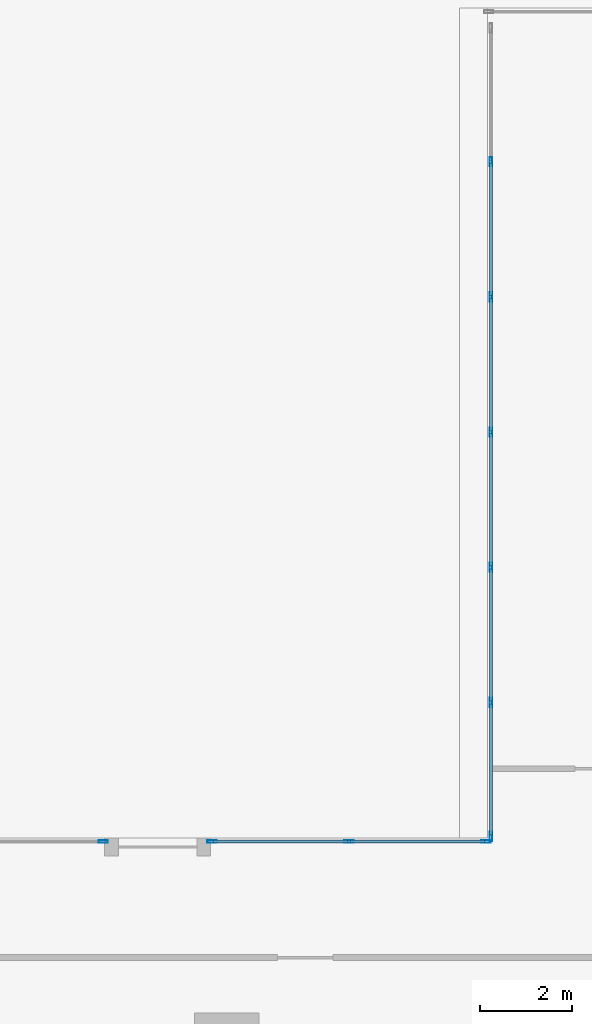
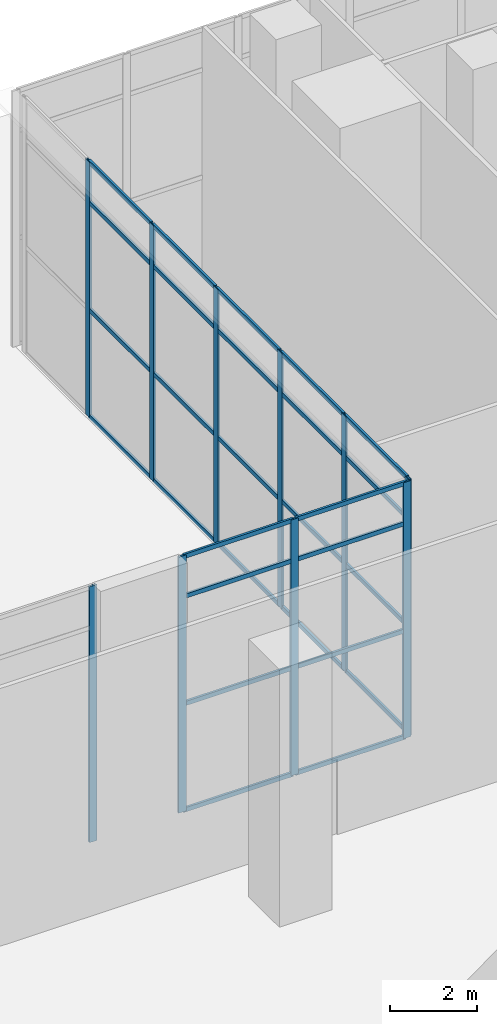
# One storey, part 26 of 52: 38 members, 3 elements without a shape of their own.
"""IFC4 building model written with IfcOpenShell, lengths in metres."""

import ifcopenshell
import ifcopenshell.guid

model = None  # the IFC model being written
_history = None  # IfcOwnerHistory: only IFC2X3 demands one
_inside = {}  # id of a spatial element -> (the spatial element, [elements in it])
_under = {}  # id of a project, library or spatial element -> (it, [spatial elements below it])
_declared = {}  # id of a project -> (the project, [libraries it declares])
_typed = {}  # id of a type object -> (the type object, [elements of that type])
_made_of = {}  # id of a material, layer set ... -> (it, [elements and type objects made of it])


def new_model(schema):
    """Start an empty IFC model of exactly this schema.

    Asked for "IFC4X3", IfcOpenShell would pick the latest addendum, in which some entities
    have other attributes; the version numbers below select the first issue.
    IFC2X3 requires an IfcOwnerHistory on every rooted entity: one is made here for all.
    """
    global model, _history
    if schema == "IFC4X3":
        model = ifcopenshell.file(schema_version=(4, 3, 0, 0))
    else:
        model = ifcopenshell.file(schema=schema)
    _inside.clear()
    _under.clear()
    _declared.clear()
    _typed.clear()
    _made_of.clear()
    _history = None
    if model.schema == "IFC2X3":
        org = make("IfcOrganization", Name="unknown")
        user = make(
            "IfcPersonAndOrganization",
            ThePerson=make("IfcPerson", FamilyName="unknown"),
            TheOrganization=org,
        )
        app = make(
            "IfcApplication",
            ApplicationDeveloper=org,
            Version="unknown",
            ApplicationFullName="unknown",
            ApplicationIdentifier="unknown",
        )
        _history = make(
            "IfcOwnerHistory",
            OwningUser=user,
            OwningApplication=app,
            ChangeAction="ADDED",
            CreationDate=0,
        )
    return model


def make(cls, **values):
    """One entity of the class cls with the attributes given. An attribute that is None is left unset."""
    return model.create_entity(
        cls, **{name: value for name, value in values.items() if value is not None}
    )


def rooted(cls, **values):
    """An entity with a GlobalId (a new one), such as an element, a storey or a relation."""
    return make(cls, GlobalId=ifcopenshell.guid.new(), OwnerHistory=_history, **values)


def si_unit(unit_type, name, prefix=None):
    """IfcSIUnit, for example si_unit("LENGTHUNIT", "METRE", prefix="MILLI")."""
    return make("IfcSIUnit", UnitType=unit_type, Prefix=prefix, Name=name)


def assignment(units):
    """IfcUnitAssignment: the units of a project."""
    return None if units is None else make("IfcUnitAssignment", Units=units)


def point(xyz):
    """IfcCartesianPoint."""
    return None if xyz is None else make("IfcCartesianPoint", Coordinates=xyz)


def direction(xyz):
    """IfcDirection."""
    return None if xyz is None else make("IfcDirection", DirectionRatios=xyz)


def frame(location, z_axis=None, x_axis=None):
    """IfcAxis2Placement3D, a coordinate frame: its origin and axes. An axis left out is left unset."""
    return make(
        "IfcAxis2Placement3D",
        Location=point(location),
        Axis=direction(z_axis),
        RefDirection=direction(x_axis),
    )


def frame_2d(location, x_axis=None):
    """IfcAxis2Placement2D, a coordinate frame in the plane: its origin and x axis."""
    return make(
        "IfcAxis2Placement2D", Location=point(location), RefDirection=direction(x_axis)
    )


def origin():
    """The frame at (0, 0, 0) with its axes left unset."""
    return frame((0.0, 0.0, 0.0))


def origin_2d():
    """The frame at (0, 0) in the plane with its x axis left unset."""
    return frame_2d((0.0, 0.0))


def place(relative_to, where):
    """IfcLocalPlacement: puts the frame where relative to a parent placement (None: the world)."""
    return make(
        "IfcLocalPlacement", PlacementRelTo=relative_to, RelativePlacement=where
    )


def context(
    kind, dimensions, precision=None, world=None, true_north=None, identifier=None
):
    """IfcGeometricRepresentationContext, for example the 3D "Model" context."""
    return make(
        "IfcGeometricRepresentationContext",
        ContextIdentifier=identifier,
        ContextType=kind,
        CoordinateSpaceDimension=dimensions,
        Precision=precision,
        WorldCoordinateSystem=world,
        TrueNorth=true_north,
    )


def subcontext(parent, identifier, kind, view, scale=None):
    """IfcGeometricRepresentationSubContext, for example "Body" below "Model"."""
    return make(
        "IfcGeometricRepresentationSubContext",
        ContextIdentifier=identifier,
        ContextType=kind,
        ParentContext=parent,
        TargetScale=scale,
        TargetView=view,
    )


def project(units=None, contexts=None):
    """IfcProject with its units and contexts."""
    return rooted(
        "IfcProject",
        Name="project",
        RepresentationContexts=contexts,
        UnitsInContext=assignment(units),
    )


def spatial(cls, under=None, at=None, **own):
    """A site, building, storey or space (cls), placed at a placement, below another one or the project."""
    s = rooted(cls, ObjectPlacement=at, **own)
    if under is not None:
        _under.setdefault(under.id(), (under, []))[1].append(s)
    return s


def profile(cls, at=None, kind="AREA", **sizes):
    """A parametric profile (cls). Its sizes go by their IFC names, for example OverallWidth=200.0."""
    return make(cls, ProfileType=kind, Position=at, **sizes)


def hollow_rectangle(**sizes):
    """IfcRectangleHollowProfileDef."""
    return profile("IfcRectangleHollowProfileDef", **sizes)


def extrude(swept, where, along, depth):
    """IfcExtrudedAreaSolid: the profile swept, set in the frame where, extruded along a direction by depth."""
    return make(
        "IfcExtrudedAreaSolid",
        SweptArea=swept,
        Position=where,
        ExtrudedDirection=direction(along),
        Depth=depth,
    )


def shape(context_of_items, identifier, shape_type, items):
    """IfcShapeRepresentation: the items that make up one representation, for example the "Body"."""
    return make(
        "IfcShapeRepresentation",
        ContextOfItems=context_of_items,
        RepresentationIdentifier=identifier,
        RepresentationType=shape_type,
        Items=items,
    )


def source(mapping_origin, context_of_items, identifier, shape_type, items):
    """IfcRepresentationMap: a shape defined once, which mapped items show again and again."""
    return make(
        "IfcRepresentationMap",
        MappingOrigin=mapping_origin,
        MappedRepresentation=shape(context_of_items, identifier, shape_type, items),
    )


def transform(
    local_origin,
    x_axis=None,
    y_axis=None,
    z_axis=None,
    scale=None,
    scale2=None,
    scale3=None,
    uniform=True,
):
    """IfcCartesianTransformationOperator3D, or its non-uniform kind. x_axis, y_axis, z_axis: its Axis1, 2, 3."""
    if uniform:
        return make(
            "IfcCartesianTransformationOperator3D",
            Axis1=direction(x_axis),
            Axis2=direction(y_axis),
            LocalOrigin=point(local_origin),
            Scale=scale,
            Axis3=direction(z_axis),
        )
    return make(
        "IfcCartesianTransformationOperator3DnonUniform",
        Axis1=direction(x_axis),
        Axis2=direction(y_axis),
        LocalOrigin=point(local_origin),
        Scale=scale,
        Axis3=direction(z_axis),
        Scale2=scale2,
        Scale3=scale3,
    )


def mapped(mapping_source, mapping_target):
    """IfcMappedItem: shows the shape of a source again, moved by a transform."""
    return make(
        "IfcMappedItem", MappingSource=mapping_source, MappingTarget=mapping_target
    )


def material(Name=None, Category=None):
    """IfcMaterial."""
    return make("IfcMaterial", Name=Name, Category=Category)


def material_profile(
    of_material, cross_section, Name=None, Category=None, Priority=None
):
    """IfcMaterialProfile: a cross section and its material."""
    return make(
        "IfcMaterialProfile",
        Name=Name,
        Material=of_material,
        Profile=cross_section,
        Priority=Priority,
        Category=Category,
    )


def profile_set(profiles, Name=None, composite=None):
    """IfcMaterialProfileSet."""
    return make(
        "IfcMaterialProfileSet",
        Name=Name,
        MaterialProfiles=profiles,
        CompositeProfile=composite,
    )


def made_of(thing, what):
    """Note that an element or type object is made of a material, layer set ...; save() writes the relation."""
    if what is not None:
        _made_of.setdefault(what.id(), (what, []))[1].append(thing)
    return thing


def type_object(cls, material=None, **own):
    """A type object (cls), such as IfcWallType, which elements share."""
    return made_of(rooted(cls, **own), material)


def element(
    cls,
    number,
    at=None,
    inside=None,
    cuts=None,
    type_object=None,
    material=None,
    context=None,
    identifier="Body",
    shape_type=None,
    held_by="IfcProductDefinitionShape",
    body=None,
    shapes=None,
    **own,
):
    """One element of the class cls, such as IfcWall. Its Tag is "e" and its number.

    at: its placement. inside: the storey or other place that contains it. cuts: it is an
    opening in that element (IfcRelVoidsElement). A single representation is given by context,
    identifier, shape_type and body (its items); several are given by shapes. held_by: the class
    of the entity that holds the representations. save() writes the other relations.
    """
    e = rooted(cls, Tag="e%d" % number, ObjectPlacement=at, **own)
    if body is not None:
        shapes = [shape(context, identifier, shape_type, body)]
    if shapes is not None:
        e.Representation = make(held_by, Representations=shapes)
    if inside is not None:
        _inside.setdefault(inside.id(), (inside, []))[1].append(e)
    if cuts is not None:
        rooted(
            "IfcRelVoidsElement", RelatingBuildingElement=cuts, RelatedOpeningElement=e
        )
    if type_object is not None:
        _typed.setdefault(type_object.id(), (type_object, []))[1].append(e)
    return made_of(e, material)


def aggregate(whole, parts):
    """IfcRelAggregates: a whole, such as a stair, and the parts it consists of."""
    return rooted("IfcRelAggregates", RelatingObject=whole, RelatedObjects=parts)


def save(model, path):
    """Write the relations noted so far, then the file.

    IfcRelAggregates (storeys below a building ...), IfcRelContainedInSpatialStructure (elements
    in a storey), IfcRelDefinesByType, IfcRelAssociatesMaterial and IfcRelDeclares: one each for
    every whole, place, type object, material and project.
    """
    for whole, parts in _under.values():
        aggregate(whole, parts)
    for where, things in _inside.values():
        rooted(
            "IfcRelContainedInSpatialStructure",
            RelatedElements=things,
            RelatingStructure=where,
        )
    for kind, things in _typed.values():
        rooted("IfcRelDefinesByType", RelatedObjects=things, RelatingType=kind)
    for what, things in _made_of.values():
        rooted("IfcRelAssociatesMaterial", RelatedObjects=things, RelatingMaterial=what)
    for by, libraries in _declared.values():
        rooted("IfcRelDeclares", RelatingContext=by, RelatedDefinitions=libraries)
    model.write(path)


model = new_model("IFC4")

# Units and contexts
model_context = context("Model", 3, precision=1e-05, world=origin(), true_north=direction((0.0, 1.0)))
body_context = subcontext(model_context, "Body", "Model", "MODEL_VIEW")
ifc_project = project(units=[si_unit("LENGTHUNIT", "METRE"), si_unit("AREAUNIT", "SQUARE_METRE"), si_unit("VOLUMEUNIT", "CUBIC_METRE"), si_unit("PLANEANGLEUNIT", "RADIAN"), si_unit("MASSUNIT", "GRAM", prefix="KILO")], contexts=[model_context])

# Site, building, storey
site_placement = place(None, origin())
site = spatial("IfcSite", under=ifc_project, at=site_placement, CompositionType="ELEMENT")
building_placement = place(site_placement, origin())
building = spatial("IfcBuilding", under=site, at=building_placement, Name="Khomas Fold Tower", CompositionType="ELEMENT")
storey_placement = place(building_placement, origin())
storey = spatial("IfcBuildingStorey", under=building, at=storey_placement, Name="L00", CompositionType="ELEMENT", Elevation=0.0)

# Curtain wall, members
ifc_material_1 = material(Name="Aluminium framed double glazing", Category="aluminium")
curtain_wall_type = type_object("IfcCurtainWallType", Name="Shopfront glazing PD-CW", PredefinedType="NOTDEFINED", material=ifc_material_1)
curtain_wall_1_placement = place(storey_placement, origin())
curtain_wall_1 = element("IfcCurtainWall", 1, at=curtain_wall_1_placement, inside=storey, type_object=curtain_wall_type, Name="Podium shopfront run", PredefinedType="NOTDEFINED")
ifc_material_2 = material(Name="Aluminium", Category="aluminium")
ifc_material_profile_1 = material_profile(ifc_material_2, hollow_rectangle(XDim=0.06005859375, YDim=0.199951171875, WallThickness=0.00390625, at=origin_2d()), Name="Shopfront glazing mullion PD-CW-M")
ifc_profile_set_1 = profile_set([ifc_material_profile_1], Name="Aluminium")
member_type_1 = type_object("IfcMemberType", Name="Shopfront glazing mullion PD-CW-M", PredefinedType="MULLION", material=ifc_profile_set_1)
shared_shape_1 = source(origin(), body_context, "Body", "SweptSolid", [
    extrude(hollow_rectangle(XDim=0.06005859375, YDim=0.199951171875, WallThickness=0.00390625, at=origin_2d()), origin(), (0.0, 0.0, 1.0), 7.14990234375),
])
member_1_placement = place(storey_placement, frame((43.22998046875, 50.666748046875, 0.0), z_axis=(0.0, 0.0, 1.0), x_axis=(1.0, 0.0, 0.0)))
member_1 = element("IfcMember", 2, at=member_1_placement, type_object=member_type_1, Name="PD-CW mullion 2", PredefinedType="MULLION", context=body_context, shape_type="MappedRepresentation", body=[
    mapped(shared_shape_1, transform((0.0, 0.0, 0.0))),
])
member_2_placement = place(storey_placement, frame((43.22998046875, 47.7333984375, 0.0), z_axis=(0.0, 0.0, 1.0), x_axis=(1.0, 0.0, 0.0)))
member_2 = element("IfcMember", 3, at=member_2_placement, type_object=member_type_1, Name="PD-CW mullion 3", PredefinedType="MULLION", context=body_context, shape_type="MappedRepresentation", body=[
    mapped(shared_shape_1, transform((0.0, 0.0, 0.0))),
])
member_3_placement = place(storey_placement, frame((43.22998046875, 44.800048828125, 0.0), z_axis=(0.0, 0.0, 1.0), x_axis=(1.0, 0.0, 0.0)))
member_3 = element("IfcMember", 4, at=member_3_placement, type_object=member_type_1, Name="PD-CW mullion 4", PredefinedType="MULLION", context=body_context, shape_type="MappedRepresentation", body=[
    mapped(shared_shape_1, transform((0.0, 0.0, 0.0))),
])
member_4_placement = place(storey_placement, frame((43.22998046875, 41.86669921875, 0.0), z_axis=(0.0, 0.0, 1.0), x_axis=(1.0, 0.0, 0.0)))
member_4 = element("IfcMember", 5, at=member_4_placement, type_object=member_type_1, Name="PD-CW mullion 5", PredefinedType="MULLION", context=body_context, shape_type="MappedRepresentation", body=[
    mapped(shared_shape_1, transform((0.0, 0.0, 0.0))),
])
member_5_placement = place(storey_placement, frame((43.22998046875, 38.933349609375, 0.0), z_axis=(0.0, 0.0, 1.0), x_axis=(1.0, 0.0, 0.0)))
member_5 = element("IfcMember", 6, at=member_5_placement, type_object=member_type_1, Name="PD-CW mullion 6", PredefinedType="MULLION", context=body_context, shape_type="MappedRepresentation", body=[
    mapped(shared_shape_1, transform((0.0, 0.0, 0.0))),
])
member_6_placement = place(storey_placement, frame((43.22998046875, 36.030029296875, 0.0), z_axis=(0.0, 0.0, 1.0), x_axis=(1.0, 0.0, 0.0)))
member_6 = element("IfcMember", 7, at=member_6_placement, type_object=member_type_1, Name="PD-CW mullion 7", PredefinedType="MULLION", context=body_context, shape_type="MappedRepresentation", body=[
    mapped(shared_shape_1, transform((0.0, 0.0, 0.0))),
])

curtain_wall_2_placement = place(storey_placement, origin())
curtain_wall_2 = element("IfcCurtainWall", 8, at=curtain_wall_2_placement, inside=storey, type_object=curtain_wall_type, Name="Podium shopfront run", PredefinedType="NOTDEFINED")
member_7_placement = place(storey_placement, frame((43.1201171875, 35.919921875, 0.0), z_axis=(0.0, 0.0, 1.0), x_axis=(0.0, -1.0, 0.0)))
member_7 = element("IfcMember", 9, at=member_7_placement, type_object=member_type_1, Name="PD-CW mullion 1", PredefinedType="MULLION", context=body_context, shape_type="MappedRepresentation", body=[
    mapped(shared_shape_1, transform((0.0, 0.0, 0.0))),
])
member_8_placement = place(storey_placement, frame((40.14990234375, 35.919921875, 0.0), z_axis=(0.0, 0.0, 1.0), x_axis=(0.0, -1.0, 0.0)))
member_8 = element("IfcMember", 10, at=member_8_placement, type_object=member_type_1, Name="PD-CW mullion 2", PredefinedType="MULLION", context=body_context, shape_type="MappedRepresentation", body=[
    mapped(shared_shape_1, transform((0.0, 0.0, 0.0))),
])
member_9_placement = place(storey_placement, frame((37.179931640625, 35.919921875, 0.0), z_axis=(0.0, 0.0, 1.0), x_axis=(0.0, -1.0, 0.0)))
member_9 = element("IfcMember", 11, at=member_9_placement, type_object=member_type_1, Name="PD-CW mullion 3", PredefinedType="MULLION", context=body_context, shape_type="MappedRepresentation", body=[
    mapped(shared_shape_1, transform((0.0, 0.0, 0.0))),
])

# Curtain wall, member
curtain_wall_3_placement = place(storey_placement, origin())
curtain_wall_3 = element("IfcCurtainWall", 12, at=curtain_wall_3_placement, inside=storey, type_object=curtain_wall_type, Name="Podium shopfront run", PredefinedType="NOTDEFINED")
member_10_placement = place(storey_placement, frame((34.820068359375, 35.919921875, 0.0), z_axis=(0.0, 0.0, 1.0), x_axis=(0.0, -1.0, 0.0)))
member_10 = element("IfcMember", 13, at=member_10_placement, type_object=member_type_1, Name="PD-CW mullion 1", PredefinedType="MULLION", context=body_context, shape_type="MappedRepresentation", body=[
    mapped(shared_shape_1, transform((0.0, 0.0, 0.0))),
])
aggregate(curtain_wall_3, [member_10])

# Member
ifc_material_3 = material(Name="Aluminium", Category="aluminium")
ifc_material_profile_2 = material_profile(ifc_material_3, hollow_rectangle(XDim=0.06005859375, YDim=0.1201171875, WallThickness=0.00390625, at=origin_2d()), Name="Shopfront glazing transom PD-CW-T")
ifc_profile_set_2 = profile_set([ifc_material_profile_2], Name="Aluminium")
member_type_2 = type_object("IfcMemberType", Name="Shopfront glazing transom PD-CW-T", PredefinedType="USERDEFINED", material=ifc_profile_set_2)
shared_shape_2 = source(origin(), body_context, "Body", "SweptSolid", [
    extrude(hollow_rectangle(XDim=0.06005859375, YDim=0.1201171875, WallThickness=0.00390625, at=origin_2d()), origin(), (0.0, 0.0, 1.0), 2.84326171875),
])
member_11_placement = place(storey_placement, frame((43.22998046875, 38.9033203125, 0.030029296875), z_axis=(0.0, -1.0, 0.0), x_axis=(1.0, 0.0, 0.0)))
member_11 = element("IfcMember", 14, at=member_11_placement, type_object=member_type_2, Name="PD-CW transom 6.1", ObjectType="TRANSOM", PredefinedType="USERDEFINED", context=body_context, shape_type="MappedRepresentation", body=[
    mapped(shared_shape_2, transform((0.0, 0.0, 0.0))),
])

member_12_placement = place(storey_placement, frame((43.22998046875, 38.9033203125, 3.0), z_axis=(0.0, -1.0, 0.0), x_axis=(1.0, 0.0, 0.0)))
member_12 = element("IfcMember", 15, at=member_12_placement, type_object=member_type_2, Name="PD-CW transom 6.2", ObjectType="TRANSOM", PredefinedType="USERDEFINED", context=body_context, shape_type="MappedRepresentation", body=[
    mapped(shared_shape_2, transform((0.0, 0.0, 0.0))),
])

member_13_placement = place(storey_placement, frame((43.22998046875, 38.9033203125, 6.0), z_axis=(0.0, -1.0, 0.0), x_axis=(1.0, 0.0, 0.0)))
member_13 = element("IfcMember", 16, at=member_13_placement, type_object=member_type_2, Name="PD-CW transom 6.3", ObjectType="TRANSOM", PredefinedType="USERDEFINED", context=body_context, shape_type="MappedRepresentation", body=[
    mapped(shared_shape_2, transform((0.0, 0.0, 0.0))),
])

member_14_placement = place(storey_placement, frame((43.22998046875, 38.9033203125, 7.1201171875), z_axis=(0.0, -1.0, 0.0), x_axis=(1.0, 0.0, 0.0)))
member_14 = element("IfcMember", 17, at=member_14_placement, type_object=member_type_2, Name="PD-CW transom 6.4", ObjectType="TRANSOM", PredefinedType="USERDEFINED", context=body_context, shape_type="MappedRepresentation", body=[
    mapped(shared_shape_2, transform((0.0, 0.0, 0.0))),
])

shared_shape_3 = source(origin(), body_context, "Body", "SweptSolid", [
    extrude(hollow_rectangle(XDim=0.06005859375, YDim=0.1201171875, WallThickness=0.00390625, at=origin_2d()), origin(), (0.0, 0.0, 1.0), 2.873291015625),
])
member_15_placement = place(storey_placement, frame((43.22998046875, 50.63671875, 0.030029296875), z_axis=(0.0, -1.0, 0.0), x_axis=(1.0, 0.0, 0.0)))
member_15 = element("IfcMember", 18, at=member_15_placement, type_object=member_type_2, Name="PD-CW transom 2.1", ObjectType="TRANSOM", PredefinedType="USERDEFINED", context=body_context, shape_type="MappedRepresentation", body=[
    mapped(shared_shape_3, transform((0.0, 0.0, 0.0))),
])

member_16_placement = place(storey_placement, frame((43.22998046875, 50.63671875, 3.0), z_axis=(0.0, -1.0, 0.0), x_axis=(1.0, 0.0, 0.0)))
member_16 = element("IfcMember", 19, at=member_16_placement, type_object=member_type_2, Name="PD-CW transom 2.2", ObjectType="TRANSOM", PredefinedType="USERDEFINED", context=body_context, shape_type="MappedRepresentation", body=[
    mapped(shared_shape_3, transform((0.0, 0.0, 0.0))),
])

member_17_placement = place(storey_placement, frame((43.22998046875, 50.63671875, 6.0), z_axis=(0.0, -1.0, 0.0), x_axis=(1.0, 0.0, 0.0)))
member_17 = element("IfcMember", 20, at=member_17_placement, type_object=member_type_2, Name="PD-CW transom 2.3", ObjectType="TRANSOM", PredefinedType="USERDEFINED", context=body_context, shape_type="MappedRepresentation", body=[
    mapped(shared_shape_3, transform((0.0, 0.0, 0.0))),
])

member_18_placement = place(storey_placement, frame((43.22998046875, 50.63671875, 7.1201171875), z_axis=(0.0, -1.0, 0.0), x_axis=(1.0, 0.0, 0.0)))
member_18 = element("IfcMember", 21, at=member_18_placement, type_object=member_type_2, Name="PD-CW transom 2.4", ObjectType="TRANSOM", PredefinedType="USERDEFINED", context=body_context, shape_type="MappedRepresentation", body=[
    mapped(shared_shape_3, transform((0.0, 0.0, 0.0))),
])

member_19_placement = place(storey_placement, frame((43.22998046875, 47.703369140625, 0.030029296875), z_axis=(0.0, -1.0, 0.0), x_axis=(1.0, 0.0, 0.0)))
member_19 = element("IfcMember", 22, at=member_19_placement, type_object=member_type_2, Name="PD-CW transom 3.1", ObjectType="TRANSOM", PredefinedType="USERDEFINED", context=body_context, shape_type="MappedRepresentation", body=[
    mapped(shared_shape_3, transform((0.0, 0.0, 0.0))),
])

member_20_placement = place(storey_placement, frame((43.22998046875, 47.703369140625, 3.0), z_axis=(0.0, -1.0, 0.0), x_axis=(1.0, 0.0, 0.0)))
member_20 = element("IfcMember", 23, at=member_20_placement, type_object=member_type_2, Name="PD-CW transom 3.2", ObjectType="TRANSOM", PredefinedType="USERDEFINED", context=body_context, shape_type="MappedRepresentation", body=[
    mapped(shared_shape_3, transform((0.0, 0.0, 0.0))),
])

member_21_placement = place(storey_placement, frame((43.22998046875, 47.703369140625, 6.0), z_axis=(0.0, -1.0, 0.0), x_axis=(1.0, 0.0, 0.0)))
member_21 = element("IfcMember", 24, at=member_21_placement, type_object=member_type_2, Name="PD-CW transom 3.3", ObjectType="TRANSOM", PredefinedType="USERDEFINED", context=body_context, shape_type="MappedRepresentation", body=[
    mapped(shared_shape_3, transform((0.0, 0.0, 0.0))),
])

member_22_placement = place(storey_placement, frame((43.22998046875, 47.703369140625, 7.1201171875), z_axis=(0.0, -1.0, 0.0), x_axis=(1.0, 0.0, 0.0)))
member_22 = element("IfcMember", 25, at=member_22_placement, type_object=member_type_2, Name="PD-CW transom 3.4", ObjectType="TRANSOM", PredefinedType="USERDEFINED", context=body_context, shape_type="MappedRepresentation", body=[
    mapped(shared_shape_3, transform((0.0, 0.0, 0.0))),
])

member_23_placement = place(storey_placement, frame((43.22998046875, 44.77001953125, 0.030029296875), z_axis=(0.0, -1.0, 0.0), x_axis=(1.0, 0.0, 0.0)))
member_23 = element("IfcMember", 26, at=member_23_placement, type_object=member_type_2, Name="PD-CW transom 4.1", ObjectType="TRANSOM", PredefinedType="USERDEFINED", context=body_context, shape_type="MappedRepresentation", body=[
    mapped(shared_shape_3, transform((0.0, 0.0, 0.0))),
])

member_24_placement = place(storey_placement, frame((43.22998046875, 44.77001953125, 3.0), z_axis=(0.0, -1.0, 0.0), x_axis=(1.0, 0.0, 0.0)))
member_24 = element("IfcMember", 27, at=member_24_placement, type_object=member_type_2, Name="PD-CW transom 4.2", ObjectType="TRANSOM", PredefinedType="USERDEFINED", context=body_context, shape_type="MappedRepresentation", body=[
    mapped(shared_shape_3, transform((0.0, 0.0, 0.0))),
])

member_25_placement = place(storey_placement, frame((43.22998046875, 44.77001953125, 6.0), z_axis=(0.0, -1.0, 0.0), x_axis=(1.0, 0.0, 0.0)))
member_25 = element("IfcMember", 28, at=member_25_placement, type_object=member_type_2, Name="PD-CW transom 4.3", ObjectType="TRANSOM", PredefinedType="USERDEFINED", context=body_context, shape_type="MappedRepresentation", body=[
    mapped(shared_shape_3, transform((0.0, 0.0, 0.0))),
])

member_26_placement = place(storey_placement, frame((43.22998046875, 44.77001953125, 7.1201171875), z_axis=(0.0, -1.0, 0.0), x_axis=(1.0, 0.0, 0.0)))
member_26 = element("IfcMember", 29, at=member_26_placement, type_object=member_type_2, Name="PD-CW transom 4.4", ObjectType="TRANSOM", PredefinedType="USERDEFINED", context=body_context, shape_type="MappedRepresentation", body=[
    mapped(shared_shape_3, transform((0.0, 0.0, 0.0))),
])

member_27_placement = place(storey_placement, frame((43.22998046875, 41.836669921875, 0.030029296875), z_axis=(0.0, -1.0, 0.0), x_axis=(1.0, 0.0, 0.0)))
member_27 = element("IfcMember", 30, at=member_27_placement, type_object=member_type_2, Name="PD-CW transom 5.1", ObjectType="TRANSOM", PredefinedType="USERDEFINED", context=body_context, shape_type="MappedRepresentation", body=[
    mapped(shared_shape_3, transform((0.0, 0.0, 0.0))),
])

member_28_placement = place(storey_placement, frame((43.22998046875, 41.836669921875, 3.0), z_axis=(0.0, -1.0, 0.0), x_axis=(1.0, 0.0, 0.0)))
member_28 = element("IfcMember", 31, at=member_28_placement, type_object=member_type_2, Name="PD-CW transom 5.2", ObjectType="TRANSOM", PredefinedType="USERDEFINED", context=body_context, shape_type="MappedRepresentation", body=[
    mapped(shared_shape_3, transform((0.0, 0.0, 0.0))),
])

member_29_placement = place(storey_placement, frame((43.22998046875, 41.836669921875, 6.0), z_axis=(0.0, -1.0, 0.0), x_axis=(1.0, 0.0, 0.0)))
member_29 = element("IfcMember", 32, at=member_29_placement, type_object=member_type_2, Name="PD-CW transom 5.3", ObjectType="TRANSOM", PredefinedType="USERDEFINED", context=body_context, shape_type="MappedRepresentation", body=[
    mapped(shared_shape_3, transform((0.0, 0.0, 0.0))),
])

member_30_placement = place(storey_placement, frame((43.22998046875, 41.836669921875, 7.1201171875), z_axis=(0.0, -1.0, 0.0), x_axis=(1.0, 0.0, 0.0)))
member_30 = element("IfcMember", 33, at=member_30_placement, type_object=member_type_2, Name="PD-CW transom 5.4", ObjectType="TRANSOM", PredefinedType="USERDEFINED", context=body_context, shape_type="MappedRepresentation", body=[
    mapped(shared_shape_3, transform((0.0, 0.0, 0.0))),
])

aggregate(curtain_wall_1, [member_1, member_2, member_3, member_4, member_5, member_6, member_15, member_16, member_17, member_18, member_19, member_20, member_21, member_22, member_23, member_24, member_25, member_26, member_27, member_28, member_29, member_30, member_11, member_12, member_13, member_14])

shared_shape_4 = source(origin(), body_context, "Body", "SweptSolid", [
    extrude(hollow_rectangle(XDim=0.06005859375, YDim=0.1201171875, WallThickness=0.00390625, at=origin_2d()), origin(), (0.0, 0.0, 1.0), 2.91015625),
])
member_31_placement = place(storey_placement, frame((43.090087890625, 35.919921875, 0.030029296875), z_axis=(-1.0, 0.0, 0.0), x_axis=(0.0, -1.0, 0.0)))
member_31 = element("IfcMember", 34, at=member_31_placement, type_object=member_type_2, Name="PD-CW transom 1.1", ObjectType="TRANSOM", PredefinedType="USERDEFINED", context=body_context, shape_type="MappedRepresentation", body=[
    mapped(shared_shape_4, transform((0.0, 0.0, 0.0))),
])

member_32_placement = place(storey_placement, frame((43.090087890625, 35.919921875, 3.0), z_axis=(-1.0, 0.0, 0.0), x_axis=(0.0, -1.0, 0.0)))
member_32 = element("IfcMember", 35, at=member_32_placement, type_object=member_type_2, Name="PD-CW transom 1.2", ObjectType="TRANSOM", PredefinedType="USERDEFINED", context=body_context, shape_type="MappedRepresentation", body=[
    mapped(shared_shape_4, transform((0.0, 0.0, 0.0))),
])

member_33_placement = place(storey_placement, frame((43.090087890625, 35.919921875, 6.0), z_axis=(-1.0, 0.0, 0.0), x_axis=(0.0, -1.0, 0.0)))
member_33 = element("IfcMember", 36, at=member_33_placement, type_object=member_type_2, Name="PD-CW transom 1.3", ObjectType="TRANSOM", PredefinedType="USERDEFINED", context=body_context, shape_type="MappedRepresentation", body=[
    mapped(shared_shape_4, transform((0.0, 0.0, 0.0))),
])

member_34_placement = place(storey_placement, frame((43.090087890625, 35.919921875, 7.1201171875), z_axis=(-1.0, 0.0, 0.0), x_axis=(0.0, -1.0, 0.0)))
member_34 = element("IfcMember", 37, at=member_34_placement, type_object=member_type_2, Name="PD-CW transom 1.4", ObjectType="TRANSOM", PredefinedType="USERDEFINED", context=body_context, shape_type="MappedRepresentation", body=[
    mapped(shared_shape_4, transform((0.0, 0.0, 0.0))),
])

member_35_placement = place(storey_placement, frame((40.1201171875, 35.919921875, 0.030029296875), z_axis=(-1.0, 0.0, 0.0), x_axis=(0.0, -1.0, 0.0)))
member_35 = element("IfcMember", 38, at=member_35_placement, type_object=member_type_2, Name="PD-CW transom 2.1", ObjectType="TRANSOM", PredefinedType="USERDEFINED", context=body_context, shape_type="MappedRepresentation", body=[
    mapped(shared_shape_4, transform((0.0, 0.0, 0.0))),
])

member_36_placement = place(storey_placement, frame((40.1201171875, 35.919921875, 3.0), z_axis=(-1.0, 0.0, 0.0), x_axis=(0.0, -1.0, 0.0)))
member_36 = element("IfcMember", 39, at=member_36_placement, type_object=member_type_2, Name="PD-CW transom 2.2", ObjectType="TRANSOM", PredefinedType="USERDEFINED", context=body_context, shape_type="MappedRepresentation", body=[
    mapped(shared_shape_4, transform((0.0, 0.0, 0.0))),
])

member_37_placement = place(storey_placement, frame((40.1201171875, 35.919921875, 6.0), z_axis=(-1.0, 0.0, 0.0), x_axis=(0.0, -1.0, 0.0)))
member_37 = element("IfcMember", 40, at=member_37_placement, type_object=member_type_2, Name="PD-CW transom 2.3", ObjectType="TRANSOM", PredefinedType="USERDEFINED", context=body_context, shape_type="MappedRepresentation", body=[
    mapped(shared_shape_4, transform((0.0, 0.0, 0.0))),
])

member_38_placement = place(storey_placement, frame((40.1201171875, 35.919921875, 7.1201171875), z_axis=(-1.0, 0.0, 0.0), x_axis=(0.0, -1.0, 0.0)))
member_38 = element("IfcMember", 41, at=member_38_placement, type_object=member_type_2, Name="PD-CW transom 2.4", ObjectType="TRANSOM", PredefinedType="USERDEFINED", context=body_context, shape_type="MappedRepresentation", body=[
    mapped(shared_shape_4, transform((0.0, 0.0, 0.0))),
])

aggregate(curtain_wall_2, [member_7, member_8, member_9, member_31, member_32, member_33, member_34, member_35, member_36, member_37, member_38])

save(model, "model.ifc")
